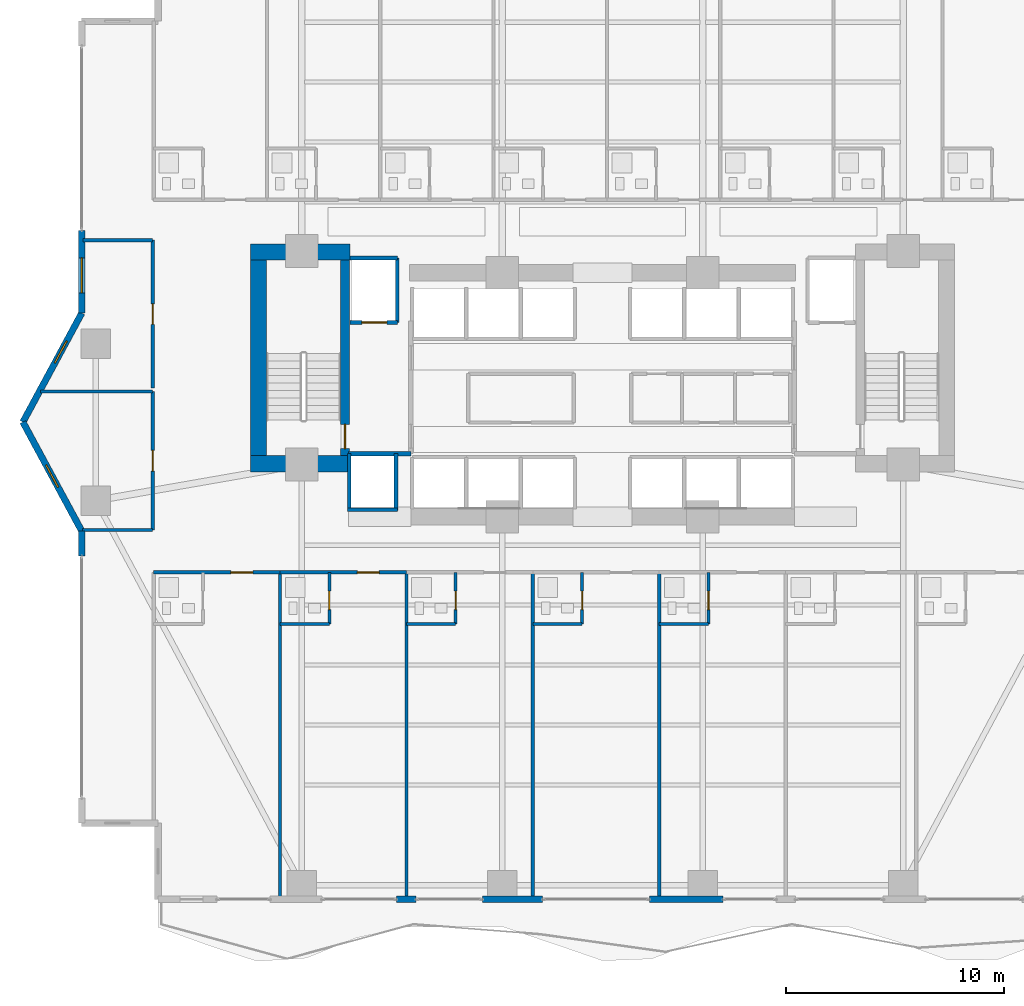
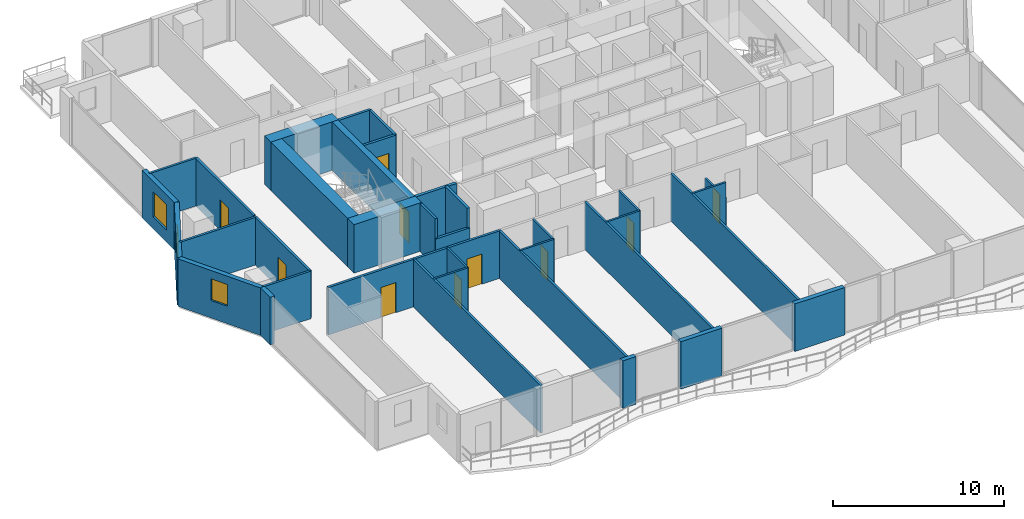
# One storey, part 21 of 29: 37 walls, 10 doors, 3 windows, 13 openings.
"""IFC4 building model written with IfcOpenShell, lengths in metres."""

import ifcopenshell
import ifcopenshell.guid

model = None  # the IFC model being written
_history = None  # IfcOwnerHistory: only IFC2X3 demands one
_inside = {}  # id of a spatial element -> (the spatial element, [elements in it])
_under = {}  # id of a project, library or spatial element -> (it, [spatial elements below it])
_declared = {}  # id of a project -> (the project, [libraries it declares])
_typed = {}  # id of a type object -> (the type object, [elements of that type])
_made_of = {}  # id of a material, layer set ... -> (it, [elements and type objects made of it])


def new_model(schema):
    """Start an empty IFC model of exactly this schema.

    Asked for "IFC4X3", IfcOpenShell would pick the latest addendum, in which some entities
    have other attributes; the version numbers below select the first issue.
    IFC2X3 requires an IfcOwnerHistory on every rooted entity: one is made here for all.
    """
    global model, _history
    if schema == "IFC4X3":
        model = ifcopenshell.file(schema_version=(4, 3, 0, 0))
    else:
        model = ifcopenshell.file(schema=schema)
    _inside.clear()
    _under.clear()
    _declared.clear()
    _typed.clear()
    _made_of.clear()
    _history = None
    if model.schema == "IFC2X3":
        org = make("IfcOrganization", Name="unknown")
        user = make(
            "IfcPersonAndOrganization",
            ThePerson=make("IfcPerson", FamilyName="unknown"),
            TheOrganization=org,
        )
        app = make(
            "IfcApplication",
            ApplicationDeveloper=org,
            Version="unknown",
            ApplicationFullName="unknown",
            ApplicationIdentifier="unknown",
        )
        _history = make(
            "IfcOwnerHistory",
            OwningUser=user,
            OwningApplication=app,
            ChangeAction="ADDED",
            CreationDate=0,
        )
    return model


def make(cls, **values):
    """One entity of the class cls with the attributes given. An attribute that is None is left unset."""
    return model.create_entity(
        cls, **{name: value for name, value in values.items() if value is not None}
    )


def rooted(cls, **values):
    """An entity with a GlobalId (a new one), such as an element, a storey or a relation."""
    return make(cls, GlobalId=ifcopenshell.guid.new(), OwnerHistory=_history, **values)


def si_unit(unit_type, name, prefix=None):
    """IfcSIUnit, for example si_unit("LENGTHUNIT", "METRE", prefix="MILLI")."""
    return make("IfcSIUnit", UnitType=unit_type, Prefix=prefix, Name=name)


def assignment(units):
    """IfcUnitAssignment: the units of a project."""
    return None if units is None else make("IfcUnitAssignment", Units=units)


def point(xyz):
    """IfcCartesianPoint."""
    return None if xyz is None else make("IfcCartesianPoint", Coordinates=xyz)


def direction(xyz):
    """IfcDirection."""
    return None if xyz is None else make("IfcDirection", DirectionRatios=xyz)


def frame(location, z_axis=None, x_axis=None):
    """IfcAxis2Placement3D, a coordinate frame: its origin and axes. An axis left out is left unset."""
    return make(
        "IfcAxis2Placement3D",
        Location=point(location),
        Axis=direction(z_axis),
        RefDirection=direction(x_axis),
    )


def frame_2d(location, x_axis=None):
    """IfcAxis2Placement2D, a coordinate frame in the plane: its origin and x axis."""
    return make(
        "IfcAxis2Placement2D", Location=point(location), RefDirection=direction(x_axis)
    )


def origin():
    """The frame at (0, 0, 0) with its axes left unset."""
    return frame((0.0, 0.0, 0.0))


def place(relative_to, where):
    """IfcLocalPlacement: puts the frame where relative to a parent placement (None: the world)."""
    return make(
        "IfcLocalPlacement", PlacementRelTo=relative_to, RelativePlacement=where
    )


def context(
    kind, dimensions, precision=None, world=None, true_north=None, identifier=None
):
    """IfcGeometricRepresentationContext, for example the 3D "Model" context."""
    return make(
        "IfcGeometricRepresentationContext",
        ContextIdentifier=identifier,
        ContextType=kind,
        CoordinateSpaceDimension=dimensions,
        Precision=precision,
        WorldCoordinateSystem=world,
        TrueNorth=true_north,
    )


def subcontext(parent, identifier, kind, view, scale=None):
    """IfcGeometricRepresentationSubContext, for example "Body" below "Model"."""
    return make(
        "IfcGeometricRepresentationSubContext",
        ContextIdentifier=identifier,
        ContextType=kind,
        ParentContext=parent,
        TargetScale=scale,
        TargetView=view,
    )


def project(units=None, contexts=None):
    """IfcProject with its units and contexts."""
    return rooted(
        "IfcProject",
        Name="project",
        RepresentationContexts=contexts,
        UnitsInContext=assignment(units),
    )


def spatial(cls, under=None, at=None, **own):
    """A site, building, storey or space (cls), placed at a placement, below another one or the project."""
    s = rooted(cls, ObjectPlacement=at, **own)
    if under is not None:
        _under.setdefault(under.id(), (under, []))[1].append(s)
    return s


def profile(cls, at=None, kind="AREA", **sizes):
    """A parametric profile (cls). Its sizes go by their IFC names, for example OverallWidth=200.0."""
    return make(cls, ProfileType=kind, Position=at, **sizes)


def rectangle(**sizes):
    """IfcRectangleProfileDef."""
    return profile("IfcRectangleProfileDef", **sizes)


def extrude(swept, where, along, depth):
    """IfcExtrudedAreaSolid: the profile swept, set in the frame where, extruded along a direction by depth."""
    return make(
        "IfcExtrudedAreaSolid",
        SweptArea=swept,
        Position=where,
        ExtrudedDirection=direction(along),
        Depth=depth,
    )


def shape(context_of_items, identifier, shape_type, items):
    """IfcShapeRepresentation: the items that make up one representation, for example the "Body"."""
    return make(
        "IfcShapeRepresentation",
        ContextOfItems=context_of_items,
        RepresentationIdentifier=identifier,
        RepresentationType=shape_type,
        Items=items,
    )


def material(Name=None, Category=None):
    """IfcMaterial."""
    return make("IfcMaterial", Name=Name, Category=Category)


def layer(
    of_material, thickness, ventilated=None, Name=None, Category=None, Priority=None
):
    """IfcMaterialLayer: one layer of a wall or slab, of a material (None: an air gap)."""
    return make(
        "IfcMaterialLayer",
        Material=of_material,
        LayerThickness=thickness,
        IsVentilated=ventilated,
        Name=Name,
        Category=Category,
        Priority=Priority,
    )


def layer_set(layers, Name=None):
    """IfcMaterialLayerSet."""
    return make("IfcMaterialLayerSet", MaterialLayers=layers, LayerSetName=Name)


def made_of(thing, what):
    """Note that an element or type object is made of a material, layer set ...; save() writes the relation."""
    if what is not None:
        _made_of.setdefault(what.id(), (what, []))[1].append(thing)
    return thing


def type_object(cls, material=None, **own):
    """A type object (cls), such as IfcWallType, which elements share."""
    return made_of(rooted(cls, **own), material)


def element(
    cls,
    number,
    at=None,
    inside=None,
    cuts=None,
    type_object=None,
    material=None,
    context=None,
    identifier="Body",
    shape_type=None,
    held_by="IfcProductDefinitionShape",
    body=None,
    shapes=None,
    **own,
):
    """One element of the class cls, such as IfcWall. Its Tag is "e" and its number.

    at: its placement. inside: the storey or other place that contains it. cuts: it is an
    opening in that element (IfcRelVoidsElement). A single representation is given by context,
    identifier, shape_type and body (its items); several are given by shapes. held_by: the class
    of the entity that holds the representations. save() writes the other relations.
    """
    e = rooted(cls, Tag="e%d" % number, ObjectPlacement=at, **own)
    if body is not None:
        shapes = [shape(context, identifier, shape_type, body)]
    if shapes is not None:
        e.Representation = make(held_by, Representations=shapes)
    if inside is not None:
        _inside.setdefault(inside.id(), (inside, []))[1].append(e)
    if cuts is not None:
        rooted(
            "IfcRelVoidsElement", RelatingBuildingElement=cuts, RelatedOpeningElement=e
        )
    if type_object is not None:
        _typed.setdefault(type_object.id(), (type_object, []))[1].append(e)
    return made_of(e, material)


def fill(opening, filler):
    """IfcRelFillsElement: the door or window that sits in an opening."""
    return rooted(
        "IfcRelFillsElement",
        RelatingOpeningElement=opening,
        RelatedBuildingElement=filler,
    )


def aggregate(whole, parts):
    """IfcRelAggregates: a whole, such as a stair, and the parts it consists of."""
    return rooted("IfcRelAggregates", RelatingObject=whole, RelatedObjects=parts)


def save(model, path):
    """Write the relations noted so far, then the file.

    IfcRelAggregates (storeys below a building ...), IfcRelContainedInSpatialStructure (elements
    in a storey), IfcRelDefinesByType, IfcRelAssociatesMaterial and IfcRelDeclares: one each for
    every whole, place, type object, material and project.
    """
    for whole, parts in _under.values():
        aggregate(whole, parts)
    for where, things in _inside.values():
        rooted(
            "IfcRelContainedInSpatialStructure",
            RelatedElements=things,
            RelatingStructure=where,
        )
    for kind, things in _typed.values():
        rooted("IfcRelDefinesByType", RelatedObjects=things, RelatingType=kind)
    for what, things in _made_of.values():
        rooted("IfcRelAssociatesMaterial", RelatedObjects=things, RelatingMaterial=what)
    for by, libraries in _declared.values():
        rooted("IfcRelDeclares", RelatingContext=by, RelatedDefinitions=libraries)
    model.write(path)


model = new_model("IFC4")

# Units and contexts
model_context = context("Model", 3, precision=1e-05, world=origin(), true_north=direction((0.0, 1.0)))
body_context = subcontext(model_context, "Body", "Model", "MODEL_VIEW")
ifc_project = project(units=[si_unit("LENGTHUNIT", "METRE"), si_unit("AREAUNIT", "SQUARE_METRE"), si_unit("VOLUMEUNIT", "CUBIC_METRE"), si_unit("PLANEANGLEUNIT", "RADIAN"), si_unit("MASSUNIT", "GRAM", prefix="KILO")], contexts=[model_context])

# Site, building, storey
site_placement = place(None, origin())
site = spatial("IfcSite", under=ifc_project, at=site_placement, CompositionType="ELEMENT")
building_placement = place(site_placement, origin())
building = spatial("IfcBuilding", under=site, at=building_placement, Name="Zuhayl Quay Hotel", CompositionType="ELEMENT")
storey_placement = place(building_placement, frame((0.0, 0.0, 158.550048828125)))
storey = spatial("IfcBuildingStorey", under=building, at=storey_placement, Name="L40", CompositionType="ELEMENT", Elevation=158.550048828125)

# Walls
ifc_material_1 = material(Name="Concrete C60/75", Category="concrete")
ifc_layer_1 = layer(ifc_material_1, 0.75, Name="Concrete C60/75", Category="concrete")
ifc_layer_set_1 = layer_set([ifc_layer_1], Name="Concrete C60/75")
wall_type_1 = type_object("IfcWallType", Name="WL_CORE_750", PredefinedType="SHEAR", material=ifc_layer_set_1)
wall_1_placement = place(storey_placement, frame((-16.159912109375, 14.304931640625, 0.0), z_axis=(0.0, 0.0, 1.0), x_axis=(1.0, 0.0, 0.0)))
element("IfcWall", 1, at=wall_1_placement, inside=storey, type_object=wall_type_1, Name="L40 Core Shear Wall CW_NW", PredefinedType="SHEAR", context=body_context, shape_type="SweptSolid", body=[
    extrude(rectangle(XDim=4.559814453125, YDim=0.75, at=frame_2d((2.27978515625, 0.0))), origin(), (0.0, 0.0, 1.0), 3.4599609375),
])
wall_2_placement = place(storey_placement, frame((-15.784912109375, 4.969970703125, 0.0), z_axis=(0.0, 0.0, 1.0), x_axis=(0.0, 1.0, 0.0)))
element("IfcWall", 2, at=wall_2_placement, inside=storey, type_object=wall_type_1, Name="L40 Core Shear Wall CW_W", PredefinedType="SHEAR", context=body_context, shape_type="SweptSolid", body=[
    extrude(rectangle(XDim=8.9599609375, YDim=0.75, at=frame_2d((4.47998046875, 0.0))), origin(), (0.0, 0.0, 1.0), 3.4599609375),
])
wall_3_placement = place(storey_placement, frame((-16.159912109375, 4.594970703125, 0.0), z_axis=(0.0, 0.0, 1.0), x_axis=(1.0, 0.0, 0.0)))
element("IfcWall", 3, at=wall_3_placement, inside=storey, type_object=wall_type_1, Name="L40 Core Shear Wall CW_SW", PredefinedType="SHEAR", context=body_context, shape_type="SweptSolid", body=[
    extrude(rectangle(XDim=4.559814453125, YDim=0.75, at=frame_2d((2.27978515625, 0.0))), origin(), (0.0, 0.0, 1.0), 3.4599609375),
])
ifc_material_2 = material(Name="Precast concrete C45/55", Category="concrete")
ifc_layer_2 = layer(ifc_material_2, 0.300048828125, Name="Precast concrete C45/55", Category="concrete")
ifc_layer_set_2 = layer_set([ifc_layer_2], Name="Precast concrete C45/55")
wall_type_2 = type_object("IfcWallType", Name="WL_EXT_300", PredefinedType="STANDARD", material=ifc_layer_set_2)
wall_4_placement = place(storey_placement, frame((-23.89990234375, 0.35009765625, 0.0), z_axis=(0.0, 0.0, 1.0), x_axis=(0.0, 1.0, 0.0)))
element("IfcWall", 4, at=wall_4_placement, inside=storey, type_object=wall_type_2, Name="L40 Exterior Precast Wall ENV_L40_E02_EW2", PredefinedType="STANDARD", context=body_context, shape_type="SweptSolid", body=[
    extrude(rectangle(XDim=1.14990234375, YDim=0.300048828125, at=frame_2d((0.574951171875, 0.0))), origin(), (0.0, 0.0, 1.0), 3.389892578125),
])

# Wall, opening, window
wall_5_placement = place(storey_placement, frame((-23.89990234375, 1.5, 0.0), z_axis=(0.0, 0.0, 1.0), x_axis=(-0.475175525499, 0.879891027325, 0.0)))
wall_5 = element("IfcWall", 5, at=wall_5_placement, inside=storey, type_object=wall_type_2, Name="L40 Exterior Precast Wall ENV_L40_EW03", PredefinedType="STANDARD", context=body_context, shape_type="SweptSolid", body=[
    extrude(rectangle(XDim=5.6826171875, YDim=0.300048828125, at=frame_2d((2.84130859375, 0.0))), origin(), (0.0, 0.0, 1.0), 3.389892578125),
])
opening_1_placement = place(wall_5_placement, frame((2.290283203125, 0.0, 1.25)))
opening_1 = element("IfcOpeningElement", 6, at=opening_1_placement, cuts=wall_5, Name="Opening W01N", PredefinedType="OPENING", context=body_context, shape_type="SweptSolid", body=[
    extrude(rectangle(XDim=1.14990234375, YDim=1.550048828125, at=frame_2d((0.574951171875, 0.77490234375))), frame((0.0, 0.159912109375, 0.0), z_axis=(0.0, -1.0, 0.0), x_axis=(1.0, 0.0, 0.0)), (0.0, 0.0, 1.0), 0.320068359375),
])
ifc_material_3 = material(Name="Dark Ceramic-Fritted Solar Glass", Category="glass")
window_type_1 = type_object("IfcWindowType", Name="WN_NOTCH_1350", PartitioningType="SINGLE_PANEL", PredefinedType="WINDOW", material=ifc_material_3)
window_1_placement = place(opening_1_placement, origin())
window_1 = element("IfcWindow", 7, at=window_1_placement, inside=storey, type_object=window_type_1, Name="L40 Corner Notch Window 3", OverallHeight=1.550048828125, OverallWidth=1.14990234375, PartitioningType="SINGLE_PANEL", PredefinedType="WINDOW", context=body_context, shape_type="SweptSolid", body=[
    extrude(rectangle(XDim=1.14990234375, YDim=1.550048828125, at=frame_2d((0.574951171875, 0.77490234375))), frame((0.0, 0.030029296875, 0.0), z_axis=(0.0, -1.0, 0.0), x_axis=(1.0, 0.0, 0.0)), (0.0, 0.0, 1.0), 0.06005859375),
])
fill(opening_1, window_1)

wall_6_placement = place(storey_placement, frame((-26.60009765625, 6.5, 0.0), z_axis=(0.0, 0.0, 1.0), x_axis=(0.475175525499, 0.879891027325, 0.0)))
wall_6 = element("IfcWall", 8, at=wall_6_placement, inside=storey, type_object=wall_type_2, Name="L40 Exterior Precast Wall ENV_L40_EW04", PredefinedType="STANDARD", context=body_context, shape_type="SweptSolid", body=[
    extrude(rectangle(XDim=5.6826171875, YDim=0.300048828125, at=frame_2d((2.84130859375, 0.0))), origin(), (0.0, 0.0, 1.0), 3.389892578125),
])
opening_2_placement = place(wall_6_placement, frame((3.0859375, 0.0, 1.25)))
opening_2 = element("IfcOpeningElement", 9, at=opening_2_placement, cuts=wall_6, Name="Opening W01N", PredefinedType="OPENING", context=body_context, shape_type="SweptSolid", body=[
    extrude(rectangle(XDim=1.14990234375, YDim=1.550048828125, at=frame_2d((0.574951171875, 0.77490234375))), frame((0.0, 0.159912109375, 0.0), z_axis=(0.0, -1.0, 0.0), x_axis=(1.0, 0.0, 0.0)), (0.0, 0.0, 1.0), 0.320068359375),
])
window_2_placement = place(opening_2_placement, origin())
window_2 = element("IfcWindow", 10, at=window_2_placement, inside=storey, type_object=window_type_1, Name="L40 Corner Notch Window 4", OverallHeight=1.550048828125, OverallWidth=1.14990234375, PartitioningType="SINGLE_PANEL", PredefinedType="WINDOW", context=body_context, shape_type="SweptSolid", body=[
    extrude(rectangle(XDim=1.14990234375, YDim=1.550048828125, at=frame_2d((0.574951171875, 0.77490234375))), frame((0.0, 0.030029296875, 0.0), z_axis=(0.0, -1.0, 0.0), x_axis=(1.0, 0.0, 0.0)), (0.0, 0.0, 1.0), 0.06005859375),
])
fill(opening_2, window_2)

wall_7_placement = place(storey_placement, frame((-23.89990234375, 11.5, 0.0), z_axis=(0.0, 0.0, 1.0), x_axis=(0.0, 1.0, 0.0)))
wall_7 = element("IfcWall", 11, at=wall_7_placement, inside=storey, type_object=wall_type_2, Name="L40 Exterior Precast Wall ENV_L40_E05_EW1", PredefinedType="STANDARD", context=body_context, shape_type="SweptSolid", body=[
    extrude(rectangle(XDim=3.800048828125, YDim=0.300048828125, at=frame_2d((1.89990234375, 0.0))), origin(), (0.0, 0.0, 1.0), 3.389892578125),
])
opening_3_placement = place(wall_7_placement, frame((0.93505859375, 0.0, 0.85009765625)))
opening_3 = element("IfcOpeningElement", 12, at=opening_3_placement, cuts=wall_7, Name="Opening W01", PredefinedType="OPENING", context=body_context, shape_type="SweptSolid", body=[
    extrude(rectangle(XDim=1.60009765625, YDim=1.800048828125, at=frame_2d((0.800048828125, 0.89990234375))), frame((0.0, 0.159912109375, 0.0), z_axis=(0.0, -1.0, 0.0), x_axis=(1.0, 0.0, 0.0)), (0.0, 0.0, 1.0), 0.320068359375),
])
window_type_2 = type_object("IfcWindowType", Name="WN_OPERABLE_1600", PartitioningType="DOUBLE_PANEL_VERTICAL", PredefinedType="WINDOW", material=ifc_material_3)
window_3_placement = place(opening_3_placement, origin())
window_3 = element("IfcWindow", 13, at=window_3_placement, inside=storey, type_object=window_type_2, Name="L40 Operable Facade Window 1-1", OverallHeight=1.800048828125, OverallWidth=1.60009765625, PartitioningType="SINGLE_PANEL", PredefinedType="WINDOW", context=body_context, shape_type="SweptSolid", body=[
    extrude(rectangle(XDim=1.60009765625, YDim=1.800048828125, at=frame_2d((0.800048828125, 0.89990234375))), frame((0.0, 0.030029296875, 0.0), z_axis=(0.0, -1.0, 0.0), x_axis=(1.0, 0.0, 0.0)), (0.0, 0.0, 1.0), 0.06005859375),
])
fill(opening_3, window_3)

# Walls
wall_8_placement = place(storey_placement, frame((5.52001953125, -15.39990234375, 0.0), z_axis=(0.0, 0.0, 1.0), x_axis=(-1.0, 0.0, 0.0)))
element("IfcWall", 14, at=wall_8_placement, inside=storey, type_object=wall_type_2, Name="L40 Exterior Precast Wall ENV_L40_S_EW4", PredefinedType="STANDARD", context=body_context, shape_type="SweptSolid", body=[
    extrude(rectangle(XDim=3.3701171875, YDim=0.300048828125, at=frame_2d((1.68505859375, 0.0))), origin(), (0.0, 0.0, 1.0), 3.389892578125),
])
wall_9_placement = place(storey_placement, frame((-2.75, -15.39990234375, 0.0), z_axis=(0.0, 0.0, 1.0), x_axis=(-1.0, 0.0, 0.0)))
element("IfcWall", 15, at=wall_9_placement, inside=storey, type_object=wall_type_2, Name="L40 Exterior Precast Wall ENV_L40_S_EW5", PredefinedType="STANDARD", context=body_context, shape_type="SweptSolid", body=[
    extrude(rectangle(XDim=2.77001953125, YDim=0.300048828125, at=frame_2d((1.385009765625, 0.0))), origin(), (0.0, 0.0, 1.0), 3.389892578125),
])
wall_10_placement = place(storey_placement, frame((-8.550048828125, -15.39990234375, 0.0), z_axis=(0.0, 0.0, 1.0), x_axis=(-1.0, 0.0, 0.0)))
element("IfcWall", 16, at=wall_10_placement, inside=storey, type_object=wall_type_2, Name="L40 Exterior Precast Wall ENV_L40_S_EW6", PredefinedType="STANDARD", context=body_context, shape_type="SweptSolid", body=[
    extrude(rectangle(XDim=0.89990234375, YDim=0.300048828125, at=frame_2d((0.449951171875, 0.0))), origin(), (0.0, 0.0, 1.0), 3.389892578125),
])
ifc_material_4 = material(Name="Acoustic Gypsum Partition STC-58")
ifc_layer_3 = layer(ifc_material_4, 0.14990234375, Name="Acoustic Gypsum Partition STC-58")
ifc_layer_set_3 = layer_set([ifc_layer_3], Name="Acoustic Gypsum Partition STC-58")
wall_type_3 = type_object("IfcWallType", Name="WL_PART_150", PredefinedType="PARTITIONING", material=ifc_layer_set_3)
for number, where, z_axis, x_axis, name in (
    (17, (-14.800048828125, -15.320068359375, 0.0), (0.0, 0.0, 1.0), (0.0, 1.0, 0.0), "L40 Partition IW_L40_SU01_E"),
    (18, (-9.0, -15.320068359375, 0.0), (0.0, 0.0, 1.0), (0.0, 1.0, 0.0), "L40 Partition IW_L40_SU02_E"),
    (19, (-3.199951171875, -15.320068359375, 0.0), (0.0, 0.0, 1.0), (0.0, 1.0, 0.0), "L40 Partition IW_L40_SU03_E"),
    (20, (2.60009765625, -15.320068359375, 0.0), (0.0, 0.0, 1.0), (0.0, 1.0, 0.0), "L40 Partition IW_L40_SU04_E"),
):
    element("IfcWall", number, at=place(storey_placement, frame(where, z_axis=z_axis, x_axis=x_axis)), inside=storey, type_object=wall_type_3, Name=name, PredefinedType="PARTITIONING", context=body_context, shape_type="SweptSolid", body=[
        extrude(rectangle(XDim=14.920166015625, YDim=0.14990234375, at=frame_2d((7.4599609375, 0.0))), origin(), (0.0, 0.0, 1.0), 3.389892578125),
    ])
wall_11_placement = place(storey_placement, frame((-23.866943359375, 1.550048828125, 0.0), z_axis=(0.0, 0.0, 1.0), x_axis=(1.0, 0.0, 0.0)))
element("IfcWall", 21, at=wall_11_placement, inside=storey, type_object=wall_type_3, Name="L40 Partition IW_L40_WPROW_1_S", PredefinedType="PARTITIONING", context=body_context, shape_type="SweptSolid", body=[
    extrude(rectangle(XDim=3.217041015625, YDim=0.14990234375, at=frame_2d((1.6083984375, 0.0))), origin(), (0.0, 0.0, 1.0), 3.389892578125),
])
wall_12_placement = place(storey_placement, frame((-25.783935546875, 7.89990234375, 0.0), z_axis=(0.0, 0.0, 1.0), x_axis=(1.0, 0.0, 0.0)))
element("IfcWall", 22, at=wall_12_placement, inside=storey, type_object=wall_type_3, Name="L40 Partition IW_L40_WPROW_1_N", PredefinedType="PARTITIONING", context=body_context, shape_type="SweptSolid", body=[
    extrude(rectangle(XDim=5.134033203125, YDim=0.14990234375, at=frame_2d((2.56689453125, 0.0))), origin(), (0.0, 0.0, 1.0), 3.389892578125),
])
wall_13_placement = place(storey_placement, frame((-23.840087890625, 14.85009765625, 0.0), z_axis=(0.0, 0.0, 1.0), x_axis=(1.0, 0.0, 0.0)))
element("IfcWall", 23, at=wall_13_placement, inside=storey, type_object=wall_type_3, Name="L40 Partition IW_L40_WPROW_2_N", PredefinedType="PARTITIONING", context=body_context, shape_type="SweptSolid", body=[
    extrude(rectangle(XDim=3.190185546875, YDim=0.14990234375, at=frame_2d((1.59521484375, 0.0))), origin(), (0.0, 0.0, 1.0), 3.389892578125),
])

# Wall, opening, door
ifc_layer_4 = layer(ifc_material_4, 0.159912109375, Name="Acoustic Gypsum Partition STC-58")
ifc_layer_set_4 = layer_set([ifc_layer_4], Name="Acoustic Gypsum Partition STC-58")
wall_type_4 = type_object("IfcWallType", Name="WL_PART_CORR_160", PredefinedType="PARTITIONING", material=ifc_layer_set_4)
wall_14_placement = place(storey_placement, frame((-20.60009765625, -0.39990234375, 0.0), z_axis=(0.0, 0.0, 1.0), x_axis=(1.0, 0.0, 0.0)))
wall_14 = element("IfcWall", 24, at=wall_14_placement, inside=storey, type_object=wall_type_4, Name="L40 Partition IW_L40_SU01_COR", PredefinedType="PARTITIONING", context=body_context, shape_type="SweptSolid", body=[
    extrude(rectangle(XDim=5.800048828125, YDim=0.159912109375, at=frame_2d((2.89990234375, 0.0))), origin(), (0.0, 0.0, 1.0), 3.389892578125),
])
opening_4_placement = place(wall_14_placement, frame((3.550048828125, 0.0, 0.0)))
opening_4 = element("IfcOpeningElement", 25, at=opening_4_placement, cuts=wall_14, Name="Opening D03L", PredefinedType="OPENING", context=body_context, shape_type="SweptSolid", body=[
    extrude(rectangle(XDim=1.0, YDim=2.14990234375, at=frame_2d((0.5, 1.074951171875))), frame((0.0, 0.08984375, 0.0), z_axis=(0.0, -1.0, 0.0), x_axis=(1.0, 0.0, 0.0)), (0.0, 0.0, 1.0), 0.179931640625),
])
ifc_material_5 = material(Name="Solid Walnut Acoustic Fire Door")
door_type_1 = type_object("IfcDoorType", Name="DR_SUITE_1000", OperationType="NOTDEFINED", PredefinedType="DOOR", material=ifc_material_5)
door_1_placement = place(opening_4_placement, origin())
door_1 = element("IfcDoor", 26, at=door_1_placement, inside=storey, type_object=door_type_1, Name="L40 Premier Twin Junior Suite L40-01 Entrance Door", OperationType="SINGLE_SWING_RIGHT", OverallHeight=2.14990234375, OverallWidth=1.0, PredefinedType="DOOR", context=body_context, shape_type="SweptSolid", body=[
    extrude(rectangle(XDim=1.0, YDim=2.14990234375, at=frame_2d((0.5, 1.074951171875))), frame((0.0, 0.02490234375, 0.0), z_axis=(0.0, -1.0, 0.0), x_axis=(1.0, 0.0, 0.0)), (0.0, 0.0, 1.0), 0.050048828125),
])
fill(opening_4, door_1)

wall_15_placement = place(storey_placement, frame((-14.800048828125, -0.39990234375, 0.0), z_axis=(0.0, 0.0, 1.0), x_axis=(1.0, 0.0, 0.0)))
wall_15 = element("IfcWall", 27, at=wall_15_placement, inside=storey, type_object=wall_type_4, Name="L40 Partition IW_L40_SU02_COR", PredefinedType="PARTITIONING", context=body_context, shape_type="SweptSolid", body=[
    extrude(rectangle(XDim=5.800048828125, YDim=0.159912109375, at=frame_2d((2.89990234375, 0.0))), origin(), (0.0, 0.0, 1.0), 3.389892578125),
])
opening_5_placement = place(wall_15_placement, frame((3.550048828125, 0.0, 0.0)))
opening_5 = element("IfcOpeningElement", 28, at=opening_5_placement, cuts=wall_15, Name="Opening D03L", PredefinedType="OPENING", context=body_context, shape_type="SweptSolid", body=[
    extrude(rectangle(XDim=1.0, YDim=2.14990234375, at=frame_2d((0.5, 1.074951171875))), frame((0.0, 0.08984375, 0.0), z_axis=(0.0, -1.0, 0.0), x_axis=(1.0, 0.0, 0.0)), (0.0, 0.0, 1.0), 0.179931640625),
])
door_2_placement = place(opening_5_placement, origin())
door_2 = element("IfcDoor", 29, at=door_2_placement, inside=storey, type_object=door_type_1, Name="L40 Premier Twin Junior Suite L40-02 Entrance Door", OperationType="SINGLE_SWING_RIGHT", OverallHeight=2.14990234375, OverallWidth=1.0, PredefinedType="DOOR", context=body_context, shape_type="SweptSolid", body=[
    extrude(rectangle(XDim=1.0, YDim=2.14990234375, at=frame_2d((0.5, 1.074951171875))), frame((0.0, 0.02490234375, 0.0), z_axis=(0.0, -1.0, 0.0), x_axis=(1.0, 0.0, 0.0)), (0.0, 0.0, 1.0), 0.050048828125),
])
fill(opening_5, door_2)

wall_16_placement = place(storey_placement, frame((-20.64990234375, 1.550048828125, 0.0), z_axis=(0.0, 0.0, 1.0), x_axis=(0.0, 1.0, 0.0)))
wall_16 = element("IfcWall", 30, at=wall_16_placement, inside=storey, type_object=wall_type_4, Name="L40 Partition IW_L40_WPROW_1_E", PredefinedType="PARTITIONING", context=body_context, shape_type="SweptSolid", body=[
    extrude(rectangle(XDim=6.349853515625, YDim=0.159912109375, at=frame_2d((3.1748046875, 0.0))), origin(), (0.0, 0.0, 1.0), 3.389892578125),
])
opening_6_placement = place(wall_16_placement, frame((2.699951171875, 0.0, 0.0)))
opening_6 = element("IfcOpeningElement", 31, at=opening_6_placement, cuts=wall_16, Name="Opening D03", PredefinedType="OPENING", context=body_context, shape_type="SweptSolid", body=[
    extrude(rectangle(XDim=0.949951171875, YDim=2.14990234375, at=frame_2d((0.47509765625, 1.074951171875))), frame((0.0, 0.08984375, 0.0), z_axis=(0.0, -1.0, 0.0), x_axis=(1.0, 0.0, 0.0)), (0.0, 0.0, 1.0), 0.179931640625),
])
door_type_2 = type_object("IfcDoorType", Name="DR_SUITE_950", OperationType="NOTDEFINED", PredefinedType="DOOR", material=ifc_material_5)
door_3_placement = place(opening_6_placement, origin())
door_3 = element("IfcDoor", 32, at=door_3_placement, inside=storey, type_object=door_type_2, Name="L40 West Prow Office L40 Door", OperationType="SINGLE_SWING_RIGHT", OverallHeight=2.14990234375, OverallWidth=0.949951171875, PredefinedType="DOOR", context=body_context, shape_type="SweptSolid", body=[
    extrude(rectangle(XDim=0.949951171875, YDim=2.14990234375, at=frame_2d((0.47509765625, 1.074951171875))), frame((0.0, 0.02490234375, 0.0), z_axis=(0.0, -1.0, 0.0), x_axis=(1.0, 0.0, 0.0)), (0.0, 0.0, 1.0), 0.050048828125),
])
fill(opening_6, door_3)

wall_17_placement = place(storey_placement, frame((-20.64990234375, 8.06005859375, 0.0), z_axis=(0.0, 0.0, 1.0), x_axis=(0.0, 1.0, 0.0)))
wall_17 = element("IfcWall", 33, at=wall_17_placement, inside=storey, type_object=wall_type_4, Name="L40 Partition IW_L40_WPROW_2_E", PredefinedType="PARTITIONING", context=body_context, shape_type="SweptSolid", body=[
    extrude(rectangle(XDim=6.7900390625, YDim=0.159912109375, at=frame_2d((3.39501953125, 0.0))), origin(), (0.0, 0.0, 1.0), 3.389892578125),
])
opening_7_placement = place(wall_17_placement, frame((2.919921875, 0.0, 0.0)))
opening_7 = element("IfcOpeningElement", 34, at=opening_7_placement, cuts=wall_17, Name="Opening D03", PredefinedType="OPENING", context=body_context, shape_type="SweptSolid", body=[
    extrude(rectangle(XDim=0.949951171875, YDim=2.14990234375, at=frame_2d((0.47509765625, 1.074951171875))), frame((0.0, 0.08984375, 0.0), z_axis=(0.0, -1.0, 0.0), x_axis=(1.0, 0.0, 0.0)), (0.0, 0.0, 1.0), 0.179931640625),
])
door_4_placement = place(opening_7_placement, origin())
door_4 = element("IfcDoor", 35, at=door_4_placement, inside=storey, type_object=door_type_2, Name="L40 Sunset Lounge L40 Door", OperationType="SINGLE_SWING_LEFT", OverallHeight=2.14990234375, OverallWidth=0.949951171875, PredefinedType="DOOR", context=body_context, shape_type="SweptSolid", body=[
    extrude(rectangle(XDim=0.949951171875, YDim=2.14990234375, at=frame_2d((0.47509765625, 1.074951171875))), frame((0.0, 0.02490234375, 0.0), z_axis=(0.0, -1.0, 0.0), x_axis=(1.0, 0.0, 0.0)), (0.0, 0.0, 1.0), 0.050048828125),
])
fill(opening_7, door_4)

ifc_material_6 = material(Name="Moisture-Resistant Sanitarychase Gypsum")
ifc_layer_5 = layer(ifc_material_6, 0.135009765625, Name="Moisture-Resistant Sanitarychase Gypsum")
ifc_layer_set_5 = layer_set([ifc_layer_5], Name="Moisture-Resistant Sanitarychase Gypsum")
wall_type_5 = type_object("IfcWallType", Name="WL_PART_PLUMB_150", PredefinedType="PLUMBINGWALL", material=ifc_layer_set_5)
wall_18_placement = place(storey_placement, frame((-12.5400390625, -2.760009765625, 0.0), z_axis=(0.0, 0.0, 1.0), x_axis=(0.0, 1.0, 0.0)))
wall_18 = element("IfcWall", 36, at=wall_18_placement, inside=storey, type_object=wall_type_5, Name="L40 Partition IW_L40_SU02_BE", PredefinedType="PLUMBINGWALL", context=body_context, shape_type="SweptSolid", body=[
    extrude(rectangle(XDim=2.360107421875, YDim=0.135009765625, at=frame_2d((1.18017578125, 0.0))), origin(), (0.0, 0.0, 1.0), 3.389892578125),
])
opening_8_placement = place(wall_18_placement, frame((0.64990234375, 0.0, 0.0)))
opening_8 = element("IfcOpeningElement", 37, at=opening_8_placement, cuts=wall_18, Name="Opening D04", PredefinedType="OPENING", context=body_context, shape_type="SweptSolid", body=[
    extrude(rectangle(XDim=0.85009765625, YDim=2.10009765625, at=frame_2d((0.425048828125, 1.050048828125))), frame((0.0, 0.077392578125, 0.0), z_axis=(0.0, -1.0, 0.0), x_axis=(1.0, 0.0, 0.0)), (0.0, 0.0, 1.0), 0.155029296875),
])
ifc_material_7 = material(Name="Moisture-Resistant Walnut Veneer")
door_type_3 = type_object("IfcDoorType", Name="DR_BATH_850", OperationType="NOTDEFINED", PredefinedType="DOOR", material=ifc_material_7)
door_5_placement = place(opening_8_placement, origin())
door_5 = element("IfcDoor", 38, at=door_5_placement, inside=storey, type_object=door_type_3, Name="L40 Premier Twin Junior Suite L40-02 En-Suite Door", OperationType="SINGLE_SWING_LEFT", OverallHeight=2.10009765625, OverallWidth=0.85009765625, PredefinedType="DOOR", context=body_context, shape_type="SweptSolid", body=[
    extrude(rectangle(XDim=0.85009765625, YDim=2.10009765625, at=frame_2d((0.425048828125, 1.050048828125))), frame((0.0, 0.02490234375, 0.0), z_axis=(0.0, -1.0, 0.0), x_axis=(1.0, 0.0, 0.0)), (0.0, 0.0, 1.0), 0.050048828125),
])
fill(opening_8, door_5)

wall_19_placement = place(storey_placement, frame((-6.739990234375, -2.760009765625, 0.0), z_axis=(0.0, 0.0, 1.0), x_axis=(0.0, 1.0, 0.0)))
wall_19 = element("IfcWall", 39, at=wall_19_placement, inside=storey, type_object=wall_type_5, Name="L40 Partition IW_L40_SU03_BE", PredefinedType="PLUMBINGWALL", context=body_context, shape_type="SweptSolid", body=[
    extrude(rectangle(XDim=2.360107421875, YDim=0.135009765625, at=frame_2d((1.18017578125, 0.0))), origin(), (0.0, 0.0, 1.0), 3.389892578125),
])
opening_9_placement = place(wall_19_placement, frame((0.64990234375, 0.0, 0.0)))
opening_9 = element("IfcOpeningElement", 40, at=opening_9_placement, cuts=wall_19, Name="Opening D04", PredefinedType="OPENING", context=body_context, shape_type="SweptSolid", body=[
    extrude(rectangle(XDim=0.85009765625, YDim=2.10009765625, at=frame_2d((0.425048828125, 1.050048828125))), frame((0.0, 0.077392578125, 0.0), z_axis=(0.0, -1.0, 0.0), x_axis=(1.0, 0.0, 0.0)), (0.0, 0.0, 1.0), 0.155029296875),
])
door_6_placement = place(opening_9_placement, origin())
door_6 = element("IfcDoor", 41, at=door_6_placement, inside=storey, type_object=door_type_3, Name="L40 Premier Twin Junior Suite L40-03 En-Suite Door", OperationType="SINGLE_SWING_LEFT", OverallHeight=2.10009765625, OverallWidth=0.85009765625, PredefinedType="DOOR", context=body_context, shape_type="SweptSolid", body=[
    extrude(rectangle(XDim=0.85009765625, YDim=2.10009765625, at=frame_2d((0.425048828125, 1.050048828125))), frame((0.0, 0.02490234375, 0.0), z_axis=(0.0, -1.0, 0.0), x_axis=(1.0, 0.0, 0.0)), (0.0, 0.0, 1.0), 0.050048828125),
])
fill(opening_9, door_6)

wall_20_placement = place(storey_placement, frame((-0.93994140625, -2.760009765625, 0.0), z_axis=(0.0, 0.0, 1.0), x_axis=(0.0, 1.0, 0.0)))
wall_20 = element("IfcWall", 42, at=wall_20_placement, inside=storey, type_object=wall_type_5, Name="L40 Partition IW_L40_SU04_BE", PredefinedType="PLUMBINGWALL", context=body_context, shape_type="SweptSolid", body=[
    extrude(rectangle(XDim=2.360107421875, YDim=0.135009765625, at=frame_2d((1.18017578125, 0.0))), origin(), (0.0, 0.0, 1.0), 3.389892578125),
])
opening_10_placement = place(wall_20_placement, frame((0.64990234375, 0.0, 0.0)))
opening_10 = element("IfcOpeningElement", 43, at=opening_10_placement, cuts=wall_20, Name="Opening D04", PredefinedType="OPENING", context=body_context, shape_type="SweptSolid", body=[
    extrude(rectangle(XDim=0.85009765625, YDim=2.10009765625, at=frame_2d((0.425048828125, 1.050048828125))), frame((0.0, 0.077392578125, 0.0), z_axis=(0.0, -1.0, 0.0), x_axis=(1.0, 0.0, 0.0)), (0.0, 0.0, 1.0), 0.155029296875),
])
door_7_placement = place(opening_10_placement, origin())
door_7 = element("IfcDoor", 44, at=door_7_placement, inside=storey, type_object=door_type_3, Name="L40 Premier Twin Junior Suite L40-04 En-Suite Door", OperationType="SINGLE_SWING_LEFT", OverallHeight=2.10009765625, OverallWidth=0.85009765625, PredefinedType="DOOR", context=body_context, shape_type="SweptSolid", body=[
    extrude(rectangle(XDim=0.85009765625, YDim=2.10009765625, at=frame_2d((0.425048828125, 1.050048828125))), frame((0.0, 0.02490234375, 0.0), z_axis=(0.0, -1.0, 0.0), x_axis=(1.0, 0.0, 0.0)), (0.0, 0.0, 1.0), 0.050048828125),
])
fill(opening_10, door_7)

wall_21_placement = place(storey_placement, frame((4.860107421875, -2.760009765625, 0.0), z_axis=(0.0, 0.0, 1.0), x_axis=(0.0, 1.0, 0.0)))
wall_21 = element("IfcWall", 45, at=wall_21_placement, inside=storey, type_object=wall_type_5, Name="L40 Partition IW_L40_SU05_BE", PredefinedType="PLUMBINGWALL", context=body_context, shape_type="SweptSolid", body=[
    extrude(rectangle(XDim=2.360107421875, YDim=0.135009765625, at=frame_2d((1.18017578125, 0.0))), origin(), (0.0, 0.0, 1.0), 2.27197265625),
])
opening_11_placement = place(wall_21_placement, frame((0.64990234375, 0.0, 0.0)))
opening_11 = element("IfcOpeningElement", 46, at=opening_11_placement, cuts=wall_21, Name="Opening D04", PredefinedType="OPENING", context=body_context, shape_type="SweptSolid", body=[
    extrude(rectangle(XDim=0.85009765625, YDim=2.10009765625, at=frame_2d((0.425048828125, 1.050048828125))), frame((0.0, 0.077392578125, 0.0), z_axis=(0.0, -1.0, 0.0), x_axis=(1.0, 0.0, 0.0)), (0.0, 0.0, 1.0), 0.155029296875),
])
door_8_placement = place(opening_11_placement, origin())
door_8 = element("IfcDoor", 47, at=door_8_placement, inside=storey, type_object=door_type_3, Name="L40 Premier Twin Junior Suite L40-05 En-Suite Door", OperationType="SINGLE_SWING_LEFT", OverallHeight=2.10009765625, OverallWidth=0.85009765625, PredefinedType="DOOR", context=body_context, shape_type="SweptSolid", body=[
    extrude(rectangle(XDim=0.85009765625, YDim=2.10009765625, at=frame_2d((0.425048828125, 1.050048828125))), frame((0.0, 0.02490234375, 0.0), z_axis=(0.0, -1.0, 0.0), x_axis=(1.0, 0.0, 0.0)), (0.0, 0.0, 1.0), 0.050048828125),
])
fill(opening_11, door_8)

# Walls
for number, where, z_axis, x_axis, name in (
    (48, (-14.800048828125, -2.760009765625, 0.0), (0.0, 0.0, 1.0), (1.0, 0.0, 0.0), "L40 Partition IW_L40_SU02_BS"),
    (49, (-9.0, -2.760009765625, 0.0), (0.0, 0.0, 1.0), (1.0, 0.0, 0.0), "L40 Partition IW_L40_SU03_BS"),
    (50, (-3.199951171875, -2.760009765625, 0.0), (0.0, 0.0, 1.0), (1.0, 0.0, 0.0), "L40 Partition IW_L40_SU04_BS"),
    (51, (2.60009765625, -2.760009765625, 0.0), (0.0, 0.0, 1.0), (1.0, 0.0, 0.0), "L40 Partition IW_L40_SU05_BS"),
):
    element("IfcWall", number, at=place(storey_placement, frame(where, z_axis=z_axis, x_axis=x_axis)), inside=storey, type_object=wall_type_5, Name=name, PredefinedType="PLUMBINGWALL", context=body_context, shape_type="SweptSolid", body=[
        extrude(rectangle(XDim=2.260009765625, YDim=0.135009765625, at=frame_2d((1.1298828125, 0.0))), origin(), (0.0, 0.0, 1.0), 3.389892578125),
    ])

# Wall, opening, door
ifc_material_8 = material(Name="Gypsum Fireboard Assembly EI-90")
ifc_layer_6 = layer(ifc_material_8, 0.1650390625, Name="Gypsum Fireboard Assembly EI-90")
ifc_layer_set_6 = layer_set([ifc_layer_6], Name="Gypsum Fireboard Assembly EI-90")
wall_type_6 = type_object("IfcWallType", Name="WL_PART_SHAFT_160", PredefinedType="PARTITIONING", material=ifc_layer_set_6)
wall_22_placement = place(storey_placement, frame((-11.580078125, 11.070068359375, 0.0), z_axis=(0.0, 0.0, 1.0), x_axis=(1.0, 0.0, 0.0)))
wall_22 = element("IfcWall", 52, at=wall_22_placement, inside=storey, type_object=wall_type_6, Name="L40 Partition IW_L40_SH_FL1_F", PredefinedType="PARTITIONING", context=body_context, shape_type="SweptSolid", body=[
    extrude(rectangle(XDim=2.16015625, YDim=0.1650390625, at=frame_2d((1.080078125, 0.0))), origin(), (0.0, 0.0, 1.0), 3.389892578125),
])
opening_12_placement = place(wall_22_placement, frame((0.530029296875, 0.0, 0.0)))
opening_12 = element("IfcOpeningElement", 53, at=opening_12_placement, cuts=wall_22, Name="Opening LD2", PredefinedType="OPENING", context=body_context, shape_type="SweptSolid", body=[
    extrude(rectangle(XDim=1.14990234375, YDim=2.25, at=frame_2d((0.574951171875, 1.125))), frame((0.0, 0.092529296875, 0.0), z_axis=(0.0, -1.0, 0.0), x_axis=(1.0, 0.0, 0.0)), (0.0, 0.0, 1.0), 0.18505859375),
])
ifc_material_9 = material(Name="Brushed Stainless Steel", Category="steel")
door_type_4 = type_object("IfcDoorType", Name="DR_LIFT_FF_1100", OperationType="SLIDING_TO_LEFT", PredefinedType="DOOR", material=ifc_material_9)
door_9_placement = place(opening_12_placement, origin())
door_9 = element("IfcDoor", 54, at=door_9_placement, inside=storey, type_object=door_type_4, Name="L40 Lift FL1 Sliding Landing Door", OperationType="SLIDING_TO_LEFT", OverallHeight=2.25, OverallWidth=1.14990234375, PredefinedType="DOOR", context=body_context, shape_type="SweptSolid", body=[
    extrude(rectangle(XDim=1.14990234375, YDim=2.25, at=frame_2d((0.574951171875, 1.125))), frame((0.0, 0.02490234375, 0.0), z_axis=(0.0, -1.0, 0.0), x_axis=(1.0, 0.0, 0.0)), (0.0, 0.0, 1.0), 0.050048828125),
])
fill(opening_12, door_9)

# Walls
wall_23_placement = place(storey_placement, frame((-9.419921875, 11.070068359375, 0.0), z_axis=(0.0, 0.0, 1.0), x_axis=(0.0, 1.0, 0.0)))
element("IfcWall", 55, at=wall_23_placement, inside=storey, type_object=wall_type_6, Name="L40 Partition IW_L40_SH_FL1_E", PredefinedType="PARTITIONING", context=body_context, shape_type="SweptSolid", body=[
    extrude(rectangle(XDim=2.9599609375, YDim=0.1650390625, at=frame_2d((1.47998046875, 0.0))), origin(), (0.0, 0.0, 1.0), 3.389892578125),
])
wall_24_placement = place(storey_placement, frame((-11.580078125, 14.030029296875, 0.0), z_axis=(0.0, 0.0, 1.0), x_axis=(1.0, 0.0, 0.0)))
element("IfcWall", 56, at=wall_24_placement, inside=storey, type_object=wall_type_6, Name="L40 Partition IW_L40_SH_FL1_B", PredefinedType="PARTITIONING", context=body_context, shape_type="SweptSolid", body=[
    extrude(rectangle(XDim=2.16015625, YDim=0.1650390625, at=frame_2d((1.080078125, 0.0))), origin(), (0.0, 0.0, 1.0), 3.389892578125),
])
wall_25_placement = place(storey_placement, frame((-11.6298828125, 2.469970703125, 0.0), z_axis=(0.0, 0.0, 1.0), x_axis=(0.0, 1.0, 0.0)))
element("IfcWall", 57, at=wall_25_placement, inside=storey, type_object=wall_type_6, Name="L40 Partition IW_L40_RISER_W", PredefinedType="PARTITIONING", context=body_context, shape_type="SweptSolid", body=[
    extrude(rectangle(XDim=2.580078125, YDim=0.1650390625, at=frame_2d((1.2900390625, 0.0))), origin(), (0.0, 0.0, 1.0), 3.389892578125),
])
wall_26_placement = place(storey_placement, frame((-11.7099609375, 2.469970703125, 0.0), z_axis=(0.0, 0.0, 1.0), x_axis=(1.0, 0.0, 0.0)))
element("IfcWall", 58, at=wall_26_placement, inside=storey, type_object=wall_type_6, Name="L40 Partition IW_L40_RISER_S", PredefinedType="PARTITIONING", context=body_context, shape_type="SweptSolid", body=[
    extrude(rectangle(XDim=2.31005859375, YDim=0.1650390625, at=frame_2d((1.155029296875, 0.0))), origin(), (0.0, 0.0, 1.0), 1.989990234375),
])
ifc_layer_7 = layer(ifc_material_8, 0.179931640625, Name="Gypsum Fireboard Assembly EI-90")
ifc_layer_set_7 = layer_set([ifc_layer_7], Name="Gypsum Fireboard Assembly EI-90")
wall_type_7 = type_object("IfcWallType", Name="WL_PART_SHAFT_180", PredefinedType="PARTITIONING", material=ifc_layer_set_7)
wall_27_placement = place(storey_placement, frame((-9.469970703125, 2.449951171875, 0.0), z_axis=(0.0, 0.0, 1.0), x_axis=(0.0, 1.0, 0.0)))
element("IfcWall", 59, at=wall_27_placement, inside=storey, type_object=wall_type_7, Name="L40 Partition IW_L40_RISER_E", PredefinedType="PARTITIONING", context=body_context, shape_type="SweptSolid", body=[
    extrude(rectangle(XDim=2.60009765625, YDim=0.179931640625, at=frame_2d((1.300048828125, 0.0))), origin(), (0.0, 0.0, 1.0), 3.389892578125),
])
ifc_material_10 = material(Name="Gypsum Fireboard Assembly EI-120")
ifc_layer_8 = layer(ifc_material_10, 0.199951171875, Name="Gypsum Fireboard Assembly EI-120")
ifc_layer_set_8 = layer_set([ifc_layer_8], Name="Gypsum Fireboard Assembly EI-120")
wall_type_8 = type_object("IfcWallType", Name="WL_PART_SHAFT_200", PredefinedType="PARTITIONING", material=ifc_layer_set_8)
wall_28_placement = place(storey_placement, frame((-11.64990234375, 5.050048828125, 0.0), z_axis=(0.0, 0.0, 1.0), x_axis=(1.0, 0.0, 0.0)))
element("IfcWall", 60, at=wall_28_placement, inside=storey, type_object=wall_type_8, Name="L40 Partition IW_L40_FSAE_W_S", PredefinedType="PARTITIONING", context=body_context, shape_type="SweptSolid", body=[
    extrude(rectangle(XDim=2.849853515625, YDim=0.199951171875, at=frame_2d((1.4248046875, 0.0))), origin(), (0.0, 0.0, 1.0), 3.389892578125),
])

# Wall, opening, door
ifc_layer_9 = layer(ifc_material_1, 0.39990234375, Name="Concrete C60/75", Category="concrete")
ifc_layer_set_9 = layer_set([ifc_layer_9], Name="Concrete C60/75")
wall_type_9 = type_object("IfcWallType", Name="WL_STAIR_400", PredefinedType="SHEAR", material=ifc_layer_set_9)
wall_29_placement = place(storey_placement, frame((-11.820068359375, 4.969970703125, 0.0), z_axis=(0.0, 0.0, 1.0), x_axis=(0.0, 1.0, 0.0)))
wall_29 = element("IfcWall", 61, at=wall_29_placement, inside=storey, type_object=wall_type_9, Name="L40 Core Shear Wall SW_ST1", PredefinedType="SHEAR", context=body_context, shape_type="SweptSolid", body=[
    extrude(rectangle(XDim=8.9599609375, YDim=0.39990234375, at=frame_2d((4.47998046875, 0.0))), origin(), (0.0, 0.0, 1.0), 3.4599609375),
])
opening_13_placement = place(wall_29_placement, frame((0.31005859375, 0.0, 0.0)))
opening_13 = element("IfcOpeningElement", 62, at=opening_13_placement, cuts=wall_29, Name="Opening D01", PredefinedType="OPENING", context=body_context, shape_type="SweptSolid", body=[
    extrude(rectangle(XDim=1.1201171875, YDim=2.219970703125, at=frame_2d((0.56005859375, 1.10986328125))), frame((0.0, 0.2099609375, 0.0), z_axis=(0.0, -1.0, 0.0), x_axis=(1.0, 0.0, 0.0)), (0.0, 0.0, 1.0), 0.419921875),
])
ifc_material_11 = material(Name="Steel ASTM A992 Grade 50", Category="steel")
door_type_5 = type_object("IfcDoorType", Name="DR_STAIR_90_1100", OperationType="NOTDEFINED", PredefinedType="DOOR", material=ifc_material_11)
door_10_placement = place(opening_13_placement, origin())
door_10 = element("IfcDoor", 63, at=door_10_placement, inside=storey, type_object=door_type_5, Name="L40 Smokeproof Exit Stair ST1 Door", OperationType="SINGLE_SWING_LEFT", OverallHeight=2.219970703125, OverallWidth=1.1201171875, PredefinedType="DOOR", context=body_context, shape_type="SweptSolid", body=[
    extrude(rectangle(XDim=1.1201171875, YDim=2.219970703125, at=frame_2d((0.56005859375, 1.10986328125))), frame((0.0, 0.02490234375, 0.0), z_axis=(0.0, -1.0, 0.0), x_axis=(1.0, 0.0, 0.0)), (0.0, 0.0, 1.0), 0.050048828125),
])
fill(opening_13, door_10)

save(model, "model.ifc")
